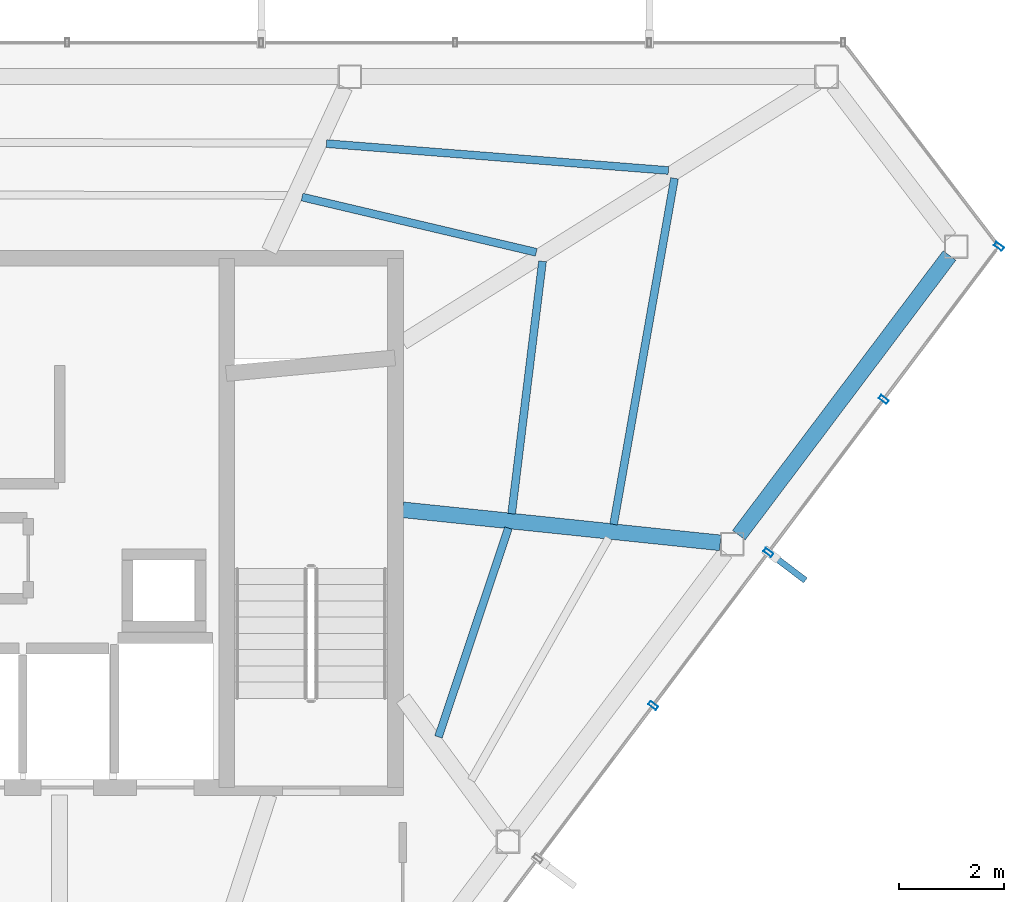
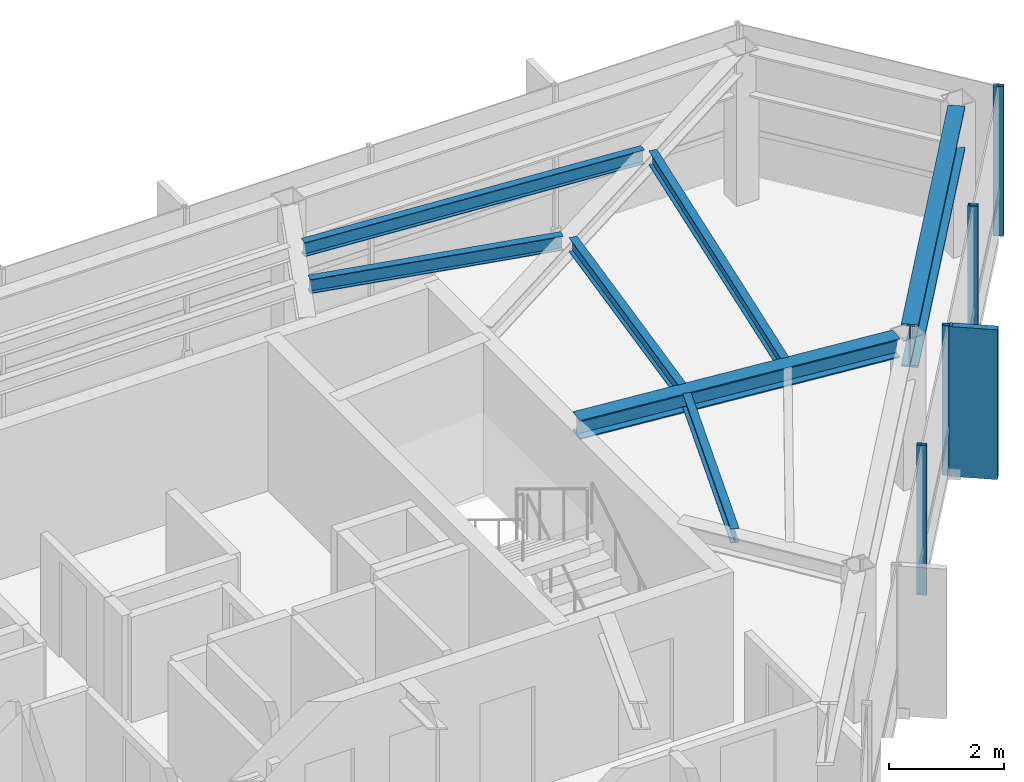
# One storey, part 17 of 22: 7 beams, 5 members, 1 element without a shape of its own.
"""IFC4 building model written with IfcOpenShell, lengths in metres."""

from ifc_helpers import new_model, si_unit, direction, frame, origin, origin_2d, place, context, subcontext, project, spatial, rectangle, hollow_rectangle, i_section, extrude, material, layer, layer_set, material_profile, profile_set, type_object, element, aggregate, save


model = new_model("IFC4")

# Units and contexts
model_context = context("Model", 3, precision=1e-05, world=origin(), true_north=direction((0.0, 1.0)))
body_context = subcontext(model_context, "Body", "Model", "MODEL_VIEW")
ifc_project = project(units=[si_unit("LENGTHUNIT", "METRE"), si_unit("AREAUNIT", "SQUARE_METRE"), si_unit("VOLUMEUNIT", "CUBIC_METRE"), si_unit("PLANEANGLEUNIT", "RADIAN"), si_unit("MASSUNIT", "GRAM", prefix="KILO")], contexts=[model_context])

# Site, building, storey
site_placement = place(None, origin())
site = spatial("IfcSite", under=ifc_project, at=site_placement, CompositionType="ELEMENT")
building_placement = place(site_placement, origin())
building = spatial("IfcBuilding", under=site, at=building_placement, Name="Zarrinselat Tower", CompositionType="ELEMENT")
storey_placement = place(building_placement, frame((0.0, 0.0, 289.0)))
storey = spatial("IfcBuildingStorey", under=building, at=storey_placement, Name="L74", CompositionType="ELEMENT", Elevation=289.0)

# Beams
ifc_material_1 = material(Name="Steel S355J2", Category="steel")
ifc_material_profile_1 = material_profile(ifc_material_1, i_section(OverallWidth=0.300048828125, OverallDepth=0.39990234375, WebThickness=0.013427734375, FlangeThickness=0.02392578125, at=origin_2d()), Name="HEB 400")
ifc_profile_set_1 = profile_set([ifc_material_profile_1], Name="Steel S355J2")
beam_type_1 = type_object("IfcBeamType", Name="BM-HEB400", PredefinedType="BEAM", material=ifc_profile_set_1)
beam_1_placement = place(storey_placement, frame((48.35009765625, 38.60009765625, 2.97998046875), z_axis=(0.994627954589, -0.103514404557, 0.0), x_axis=(0.103514404557, 0.994627954589, 0.0)))
element("IfcBeam", 1, at=beam_1_placement, inside=storey, type_object=beam_type_1, Name="L74 Radial Primary Girder RG14", PredefinedType="BEAM", context=body_context, shape_type="SweptSolid", body=[
    extrude(i_section(OverallWidth=0.300048828125, OverallDepth=0.39990234375, WebThickness=0.013427734375, FlangeThickness=0.02392578125, at=origin_2d()), origin(), (0.0, 0.0, 1.0), 6.092041015625),
])
ifc_material_2 = material(Name="Steel S460M", Category="steel")
ifc_material_profile_2 = material_profile(ifc_material_2, i_section(OverallWidth=0.302001953125, OverallDepth=0.909912109375, WebThickness=0.02099609375, FlangeThickness=0.0400390625, at=origin_2d()), Name="HEM 900")
ifc_profile_set_2 = profile_set([ifc_material_profile_2], Name="Steel S460M")
beam_type_2 = type_object("IfcBeamType", Name="BM-HEM900", PredefinedType="BEAM", material=ifc_profile_set_2)
beam_2_placement = place(storey_placement, frame((54.763427734375, 38.115966796875, 2.72509765625), z_axis=(0.601641502022, 0.798766238048, 0.0), x_axis=(-0.798766238048, 0.601641502022, 0.0)))
element("IfcBeam", 2, at=beam_2_placement, inside=storey, type_object=beam_type_2, Name="L74 Perimeter Spandrel Girder SP14", PredefinedType="BEAM", context=body_context, shape_type="SweptSolid", body=[
    extrude(i_section(OverallWidth=0.302001953125, OverallDepth=0.909912109375, WebThickness=0.02099609375, FlangeThickness=0.0400390625, at=origin_2d()), origin(), (0.0, 0.0, 1.0), 6.681640625),
])
ifc_material_3 = material(Name="Steel S355J2", Category="steel")
ifc_material_profile_3 = material_profile(ifc_material_3, i_section(OverallWidth=0.14990234375, OverallDepth=0.300048828125, WebThickness=0.007080078125, FlangeThickness=0.0107421875, at=origin_2d()), Name="IPE 300")
ifc_profile_set_3 = profile_set([ifc_material_profile_3], Name="Steel S355J2")
beam_type_3 = type_object("IfcBeamType", Name="BM-IPE300", PredefinedType="JOIST", material=ifc_profile_set_3)
beam_3_placement = place(storey_placement, frame((49.031494140625, 34.266357421875, 3.030029296875), z_axis=(0.31739488933, 0.948293458918, 0.0), x_axis=(-0.948293458918, 0.31739488933, 0.0)))
element("IfcBeam", 3, at=beam_3_placement, inside=storey, type_object=beam_type_3, Name="L74 Composite Floor Joist 4-2", PredefinedType="JOIST", context=body_context, shape_type="SweptSolid", body=[
    extrude(i_section(OverallWidth=0.14990234375, OverallDepth=0.300048828125, WebThickness=0.007080078125, FlangeThickness=0.0107421875, at=origin_2d()), origin(), (0.0, 0.0, 1.0), 4.20361328125),
])
beam_4_placement = place(storey_placement, frame((52.37353515625, 38.32177734375, 3.030029296875), z_axis=(0.173253642089, 0.984877238798, 0.0), x_axis=(-0.984877238798, 0.173253642089, 0.0)))
element("IfcBeam", 4, at=beam_4_placement, inside=storey, type_object=beam_type_3, Name="L74 Composite Floor Joist 5-1", PredefinedType="JOIST", context=body_context, shape_type="SweptSolid", body=[
    extrude(i_section(OverallWidth=0.14990234375, OverallDepth=0.300048828125, WebThickness=0.007080078125, FlangeThickness=0.0107421875, at=origin_2d()), origin(), (0.0, 0.0, 1.0), 6.7060546875),
])
beam_5_placement = place(storey_placement, frame((50.42724609375, 38.524658203125, 3.030029296875), z_axis=(0.121415788732, 0.992601735968, 0.0), x_axis=(-0.992601735968, 0.121415788732, 0.0)))
element("IfcBeam", 5, at=beam_5_placement, inside=storey, type_object=beam_type_3, Name="L74 Composite Floor Joist 5-2", PredefinedType="JOIST", context=body_context, shape_type="SweptSolid", body=[
    extrude(i_section(OverallWidth=0.14990234375, OverallDepth=0.300048828125, WebThickness=0.007080078125, FlangeThickness=0.0107421875, at=origin_2d()), origin(), (0.0, 0.0, 1.0), 4.85400390625),
])
beam_6_placement = place(storey_placement, frame((46.893310546875, 45.588623046875, 3.030029296875), z_axis=(0.996922968668, -0.078387464188, 0.0), x_axis=(0.078387464188, 0.996922968668, 0.0)))
element("IfcBeam", 6, at=beam_6_placement, inside=storey, type_object=beam_type_3, Name="L74 Composite Floor Joist 6-1", PredefinedType="JOIST", context=body_context, shape_type="SweptSolid", body=[
    extrude(i_section(OverallWidth=0.14990234375, OverallDepth=0.300048828125, WebThickness=0.007080078125, FlangeThickness=0.0107421875, at=origin_2d()), origin(), (0.0, 0.0, 1.0), 6.546875),
])
beam_7_placement = place(storey_placement, frame((46.427490234375, 44.56884765625, 3.030029296875), z_axis=(0.973262878143, -0.229694079221, 0.0), x_axis=(0.229694079221, 0.973262878143, 0.0)))
element("IfcBeam", 7, at=beam_7_placement, inside=storey, type_object=beam_type_3, Name="L74 Composite Floor Joist 6-2", PredefinedType="JOIST", context=body_context, shape_type="SweptSolid", body=[
    extrude(i_section(OverallWidth=0.14990234375, OverallDepth=0.300048828125, WebThickness=0.007080078125, FlangeThickness=0.0107421875, at=origin_2d()), origin(), (0.0, 0.0, 1.0), 4.5927734375),
])

# Curtain wall, members
ifc_material_4 = material(Name="Extruded Aluminium Alloy EN AW-6063 T6", Category="aluminium")
ifc_layer = layer(ifc_material_4, 0.199951171875)
ifc_layer_set = layer_set([ifc_layer], Name="Extruded Aluminium Alloy EN AW-6063 T6")
curtain_wall_type = type_object("IfcCurtainWallType", Name="CWS-BLADE", PredefinedType="NOTDEFINED", material=ifc_layer_set)
curtain_wall_placement = place(storey_placement, origin())
curtain_wall = element("IfcCurtainWall", 8, at=curtain_wall_placement, inside=storey, type_object=curtain_wall_type, Name="L74 Unitised Curtain Wall CW-L74-E05", PredefinedType="NOTDEFINED")
ifc_material_5 = material(Name="Extruded Aluminium Alloy EN AW-6063 T6", Category="aluminium")
ifc_material_profile_4 = material_profile(ifc_material_5, hollow_rectangle(XDim=0.080078125, YDim=0.179931640625, WallThickness=0.0048828125, at=origin_2d()), Name="RHS 180x80x5")
ifc_profile_set_4 = profile_set([ifc_material_profile_4], Name="Extruded Aluminium Alloy EN AW-6063 T6")
member_type_1 = type_object("IfcMemberType", Name="MEM-CW-MUL", PredefinedType="MULLION", material=ifc_profile_set_4)
member_1_placement = place(storey_placement, frame((53.12841796875, 34.865234375, 0.0), z_axis=(0.0, 0.0, 1.0), x_axis=(0.601672649155, 0.798742776655, 0.0)))
member_1 = element("IfcMember", 9, at=member_1_placement, type_object=member_type_1, Name="CW-L74-E05 Mullion 6", PredefinedType="MULLION", context=body_context, shape_type="SweptSolid", body=[
    extrude(hollow_rectangle(XDim=0.080078125, YDim=0.179931640625, WallThickness=0.0048828125, at=origin_2d()), origin(), (0.0, 0.0, 1.0), 3.179931640625),
])
member_2_placement = place(storey_placement, frame((55.328125, 37.785400390625, 0.0), z_axis=(0.0, 0.0, 1.0), x_axis=(0.601672649155, 0.798742776655, 0.0)))
member_2 = element("IfcMember", 10, at=member_2_placement, type_object=member_type_1, Name="CW-L74-E05 Mullion 7", PredefinedType="MULLION", context=body_context, shape_type="SweptSolid", body=[
    extrude(hollow_rectangle(XDim=0.080078125, YDim=0.179931640625, WallThickness=0.0048828125, at=origin_2d()), origin(), (0.0, 0.0, 1.0), 3.179931640625),
])
member_3_placement = place(storey_placement, frame((57.52783203125, 40.70556640625, 0.0), z_axis=(0.0, 0.0, 1.0), x_axis=(0.601672649155, 0.798742776655, 0.0)))
member_3 = element("IfcMember", 11, at=member_3_placement, type_object=member_type_1, Name="CW-L74-E05 Mullion 8", PredefinedType="MULLION", context=body_context, shape_type="SweptSolid", body=[
    extrude(hollow_rectangle(XDim=0.080078125, YDim=0.179931640625, WallThickness=0.0048828125, at=origin_2d()), origin(), (0.0, 0.0, 1.0), 3.179931640625),
])
member_4_placement = place(storey_placement, frame((59.7275390625, 43.625732421875, 0.0), z_axis=(0.0, 0.0, 1.0), x_axis=(0.601672649155, 0.798742776655, 0.0)))
member_4 = element("IfcMember", 12, at=member_4_placement, type_object=member_type_1, Name="CW-L74-E05 Mullion 9", PredefinedType="MULLION", context=body_context, shape_type="SweptSolid", body=[
    extrude(hollow_rectangle(XDim=0.080078125, YDim=0.179931640625, WallThickness=0.0048828125, at=origin_2d()), origin(), (0.0, 0.0, 1.0), 3.179931640625),
])
ifc_material_6 = material(Name="Honed Cream Travertine Stone", Category="masonry")
ifc_material_profile_5 = material_profile(ifc_material_6, rectangle(XDim=0.1201171875, YDim=0.85009765625, at=origin_2d()), Name="FIN 850x120")
ifc_profile_set_5 = profile_set([ifc_material_profile_5], Name="Honed Cream Travertine Stone")
member_type_2 = type_object("IfcMemberType", Name="MEM-STONE-FIN", PredefinedType="USERDEFINED", material=ifc_profile_set_5)
member_5_placement = place(storey_placement, frame((55.695556640625, 37.508544921875, 0.0), z_axis=(0.0, 0.0, 1.0), x_axis=(-0.601672649155, -0.798742776655, 0.0)))
member_5 = element("IfcMember", 13, at=member_5_placement, type_object=member_type_2, Name="L74 Stone Shading Fin CW-L74-E05-07", ObjectType="FIN", PredefinedType="USERDEFINED", context=body_context, shape_type="SweptSolid", body=[
    extrude(rectangle(XDim=0.1201171875, YDim=0.85009765625, at=origin_2d()), origin(), (0.0, 0.0, 1.0), 3.179931640625),
])
aggregate(curtain_wall, [member_1, member_2, member_5, member_3, member_4])

save(model, "model.ifc")
